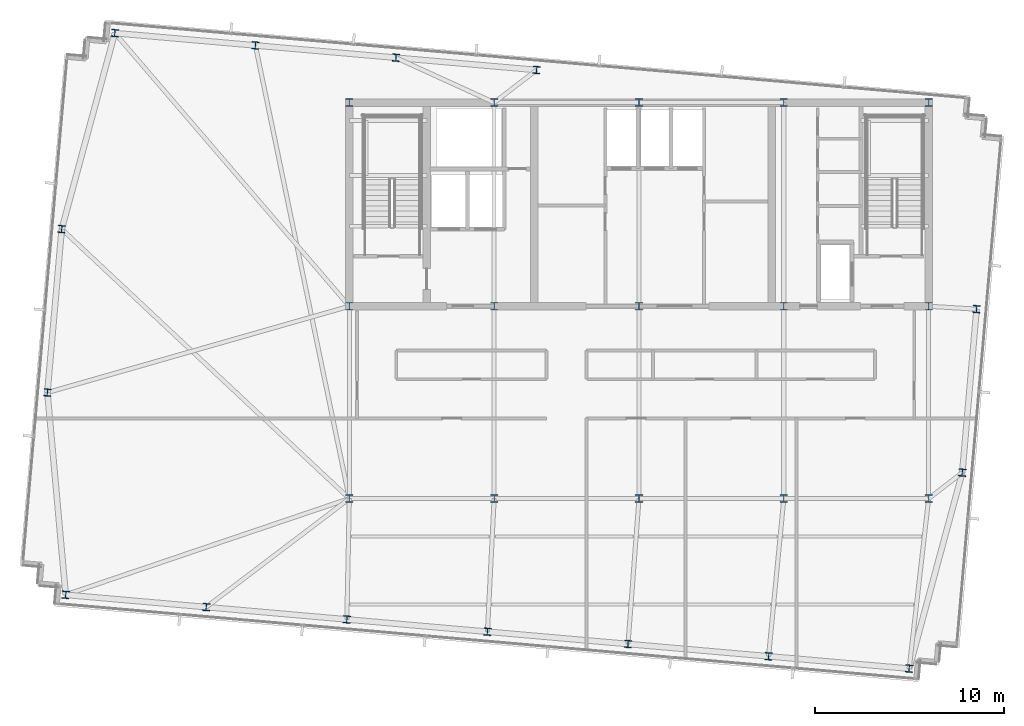
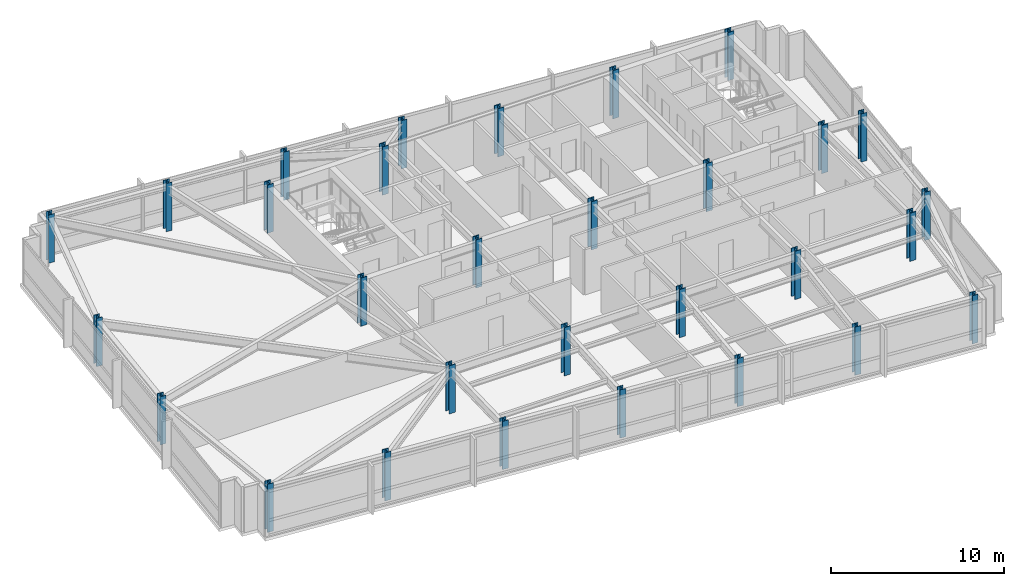
# One storey, part 1 of 24: 30 columns.
"""IFC4 building model written with IfcOpenShell, lengths in metres."""

import ifcopenshell
import ifcopenshell.guid

model = None  # the IFC model being written
_history = None  # IfcOwnerHistory: only IFC2X3 demands one
_inside = {}  # id of a spatial element -> (the spatial element, [elements in it])
_under = {}  # id of a project, library or spatial element -> (it, [spatial elements below it])
_declared = {}  # id of a project -> (the project, [libraries it declares])
_typed = {}  # id of a type object -> (the type object, [elements of that type])
_made_of = {}  # id of a material, layer set ... -> (it, [elements and type objects made of it])


def new_model(schema):
    """Start an empty IFC model of exactly this schema.

    Asked for "IFC4X3", IfcOpenShell would pick the latest addendum, in which some entities
    have other attributes; the version numbers below select the first issue.
    IFC2X3 requires an IfcOwnerHistory on every rooted entity: one is made here for all.
    """
    global model, _history
    if schema == "IFC4X3":
        model = ifcopenshell.file(schema_version=(4, 3, 0, 0))
    else:
        model = ifcopenshell.file(schema=schema)
    _inside.clear()
    _under.clear()
    _declared.clear()
    _typed.clear()
    _made_of.clear()
    _history = None
    if model.schema == "IFC2X3":
        org = make("IfcOrganization", Name="unknown")
        user = make(
            "IfcPersonAndOrganization",
            ThePerson=make("IfcPerson", FamilyName="unknown"),
            TheOrganization=org,
        )
        app = make(
            "IfcApplication",
            ApplicationDeveloper=org,
            Version="unknown",
            ApplicationFullName="unknown",
            ApplicationIdentifier="unknown",
        )
        _history = make(
            "IfcOwnerHistory",
            OwningUser=user,
            OwningApplication=app,
            ChangeAction="ADDED",
            CreationDate=0,
        )
    return model


def make(cls, **values):
    """One entity of the class cls with the attributes given. An attribute that is None is left unset."""
    return model.create_entity(
        cls, **{name: value for name, value in values.items() if value is not None}
    )


def rooted(cls, **values):
    """An entity with a GlobalId (a new one), such as an element, a storey or a relation."""
    return make(cls, GlobalId=ifcopenshell.guid.new(), OwnerHistory=_history, **values)


def si_unit(unit_type, name, prefix=None):
    """IfcSIUnit, for example si_unit("LENGTHUNIT", "METRE", prefix="MILLI")."""
    return make("IfcSIUnit", UnitType=unit_type, Prefix=prefix, Name=name)


def assignment(units):
    """IfcUnitAssignment: the units of a project."""
    return None if units is None else make("IfcUnitAssignment", Units=units)


def point(xyz):
    """IfcCartesianPoint."""
    return None if xyz is None else make("IfcCartesianPoint", Coordinates=xyz)


def direction(xyz):
    """IfcDirection."""
    return None if xyz is None else make("IfcDirection", DirectionRatios=xyz)


def frame(location, z_axis=None, x_axis=None):
    """IfcAxis2Placement3D, a coordinate frame: its origin and axes. An axis left out is left unset."""
    return make(
        "IfcAxis2Placement3D",
        Location=point(location),
        Axis=direction(z_axis),
        RefDirection=direction(x_axis),
    )


def frame_2d(location, x_axis=None):
    """IfcAxis2Placement2D, a coordinate frame in the plane: its origin and x axis."""
    return make(
        "IfcAxis2Placement2D", Location=point(location), RefDirection=direction(x_axis)
    )


def origin():
    """The frame at (0, 0, 0) with its axes left unset."""
    return frame((0.0, 0.0, 0.0))


def origin_2d():
    """The frame at (0, 0) in the plane with its x axis left unset."""
    return frame_2d((0.0, 0.0))


def place(relative_to, where):
    """IfcLocalPlacement: puts the frame where relative to a parent placement (None: the world)."""
    return make(
        "IfcLocalPlacement", PlacementRelTo=relative_to, RelativePlacement=where
    )


def context(
    kind, dimensions, precision=None, world=None, true_north=None, identifier=None
):
    """IfcGeometricRepresentationContext, for example the 3D "Model" context."""
    return make(
        "IfcGeometricRepresentationContext",
        ContextIdentifier=identifier,
        ContextType=kind,
        CoordinateSpaceDimension=dimensions,
        Precision=precision,
        WorldCoordinateSystem=world,
        TrueNorth=true_north,
    )


def subcontext(parent, identifier, kind, view, scale=None):
    """IfcGeometricRepresentationSubContext, for example "Body" below "Model"."""
    return make(
        "IfcGeometricRepresentationSubContext",
        ContextIdentifier=identifier,
        ContextType=kind,
        ParentContext=parent,
        TargetScale=scale,
        TargetView=view,
    )


def project(units=None, contexts=None):
    """IfcProject with its units and contexts."""
    return rooted(
        "IfcProject",
        Name="project",
        RepresentationContexts=contexts,
        UnitsInContext=assignment(units),
    )


def spatial(cls, under=None, at=None, **own):
    """A site, building, storey or space (cls), placed at a placement, below another one or the project."""
    s = rooted(cls, ObjectPlacement=at, **own)
    if under is not None:
        _under.setdefault(under.id(), (under, []))[1].append(s)
    return s


def profile(cls, at=None, kind="AREA", **sizes):
    """A parametric profile (cls). Its sizes go by their IFC names, for example OverallWidth=200.0."""
    return make(cls, ProfileType=kind, Position=at, **sizes)


def i_section(**sizes):
    """IfcIShapeProfileDef."""
    return profile("IfcIShapeProfileDef", **sizes)


def extrude(swept, where, along, depth):
    """IfcExtrudedAreaSolid: the profile swept, set in the frame where, extruded along a direction by depth."""
    return make(
        "IfcExtrudedAreaSolid",
        SweptArea=swept,
        Position=where,
        ExtrudedDirection=direction(along),
        Depth=depth,
    )


def shape(context_of_items, identifier, shape_type, items):
    """IfcShapeRepresentation: the items that make up one representation, for example the "Body"."""
    return make(
        "IfcShapeRepresentation",
        ContextOfItems=context_of_items,
        RepresentationIdentifier=identifier,
        RepresentationType=shape_type,
        Items=items,
    )


def material(Name=None, Category=None):
    """IfcMaterial."""
    return make("IfcMaterial", Name=Name, Category=Category)


def material_profile(
    of_material, cross_section, Name=None, Category=None, Priority=None
):
    """IfcMaterialProfile: a cross section and its material."""
    return make(
        "IfcMaterialProfile",
        Name=Name,
        Material=of_material,
        Profile=cross_section,
        Priority=Priority,
        Category=Category,
    )


def profile_set(profiles, Name=None, composite=None):
    """IfcMaterialProfileSet."""
    return make(
        "IfcMaterialProfileSet",
        Name=Name,
        MaterialProfiles=profiles,
        CompositeProfile=composite,
    )


def made_of(thing, what):
    """Note that an element or type object is made of a material, layer set ...; save() writes the relation."""
    if what is not None:
        _made_of.setdefault(what.id(), (what, []))[1].append(thing)
    return thing


def type_object(cls, material=None, **own):
    """A type object (cls), such as IfcWallType, which elements share."""
    return made_of(rooted(cls, **own), material)


def element(
    cls,
    number,
    at=None,
    inside=None,
    cuts=None,
    type_object=None,
    material=None,
    context=None,
    identifier="Body",
    shape_type=None,
    held_by="IfcProductDefinitionShape",
    body=None,
    shapes=None,
    **own,
):
    """One element of the class cls, such as IfcWall. Its Tag is "e" and its number.

    at: its placement. inside: the storey or other place that contains it. cuts: it is an
    opening in that element (IfcRelVoidsElement). A single representation is given by context,
    identifier, shape_type and body (its items); several are given by shapes. held_by: the class
    of the entity that holds the representations. save() writes the other relations.
    """
    e = rooted(cls, Tag="e%d" % number, ObjectPlacement=at, **own)
    if body is not None:
        shapes = [shape(context, identifier, shape_type, body)]
    if shapes is not None:
        e.Representation = make(held_by, Representations=shapes)
    if inside is not None:
        _inside.setdefault(inside.id(), (inside, []))[1].append(e)
    if cuts is not None:
        rooted(
            "IfcRelVoidsElement", RelatingBuildingElement=cuts, RelatedOpeningElement=e
        )
    if type_object is not None:
        _typed.setdefault(type_object.id(), (type_object, []))[1].append(e)
    return made_of(e, material)


def aggregate(whole, parts):
    """IfcRelAggregates: a whole, such as a stair, and the parts it consists of."""
    return rooted("IfcRelAggregates", RelatingObject=whole, RelatedObjects=parts)


def save(model, path):
    """Write the relations noted so far, then the file.

    IfcRelAggregates (storeys below a building ...), IfcRelContainedInSpatialStructure (elements
    in a storey), IfcRelDefinesByType, IfcRelAssociatesMaterial and IfcRelDeclares: one each for
    every whole, place, type object, material and project.
    """
    for whole, parts in _under.values():
        aggregate(whole, parts)
    for where, things in _inside.values():
        rooted(
            "IfcRelContainedInSpatialStructure",
            RelatedElements=things,
            RelatingStructure=where,
        )
    for kind, things in _typed.values():
        rooted("IfcRelDefinesByType", RelatedObjects=things, RelatingType=kind)
    for what, things in _made_of.values():
        rooted("IfcRelAssociatesMaterial", RelatedObjects=things, RelatingMaterial=what)
    for by, libraries in _declared.values():
        rooted("IfcRelDeclares", RelatingContext=by, RelatedDefinitions=libraries)
    model.write(path)


model = new_model("IFC4")

# Units and contexts
model_context = context("Model", 3, precision=1e-05, world=origin(), true_north=direction((0.0, 1.0)))
body_context = subcontext(model_context, "Body", "Model", "MODEL_VIEW")
ifc_project = project(units=[si_unit("LENGTHUNIT", "METRE"), si_unit("AREAUNIT", "SQUARE_METRE"), si_unit("VOLUMEUNIT", "CUBIC_METRE"), si_unit("PLANEANGLEUNIT", "RADIAN"), si_unit("MASSUNIT", "GRAM", prefix="KILO")], contexts=[model_context])

# Site, building, storey
site_placement = place(None, origin())
site = spatial("IfcSite", under=ifc_project, at=site_placement, CompositionType="ELEMENT")
building_placement = place(site_placement, origin())
building = spatial("IfcBuilding", under=site, at=building_placement, Name="Yelkora Congress Tower", CompositionType="ELEMENT")
storey_placement = place(building_placement, frame((0.0, 0.0, 296.5)))
storey = spatial("IfcBuildingStorey", under=building, at=storey_placement, Name="L83", CompositionType="ELEMENT", Elevation=296.5)

# Columns
ifc_material_1 = material(Name="Steel S355J2", Category="steel")
ifc_material_profile_1 = material_profile(ifc_material_1, i_section(OverallWidth=0.3779296875, OverallDepth=0.386962890625, WebThickness=0.0205078125, FlangeThickness=0.033203125, FilletRadius=0.014892578125, at=origin_2d()), Name="HD 360x262")
ifc_profile_set_1 = profile_set([ifc_material_profile_1], Name="Steel S355J2")
column_type_1 = type_object("IfcColumnType", Name="COL-HD-262-EXT", PredefinedType="COLUMN", material=ifc_profile_set_1)
for number, where, z_axis, x_axis, name in (
    (1, (7.998046875, 20.097900390625, 0.0), (0.0, 0.0, 1.0), (0.996194698092, -0.087155742748, 0.0), "L83 Perimeter Column S01"),
    (2, (15.452880859375, 19.445556640625, 0.0), (0.0, 0.0, 1.0), (0.996194698092, -0.087155742748, 0.0), "L83 Perimeter Column S02"),
    (3, (22.90771484375, 18.793212890625, 0.0), (0.0, 0.0, 1.0), (0.996194698092, -0.087155742748, 0.0), "L83 Perimeter Column S03"),
    (4, (30.362548828125, 18.14111328125, 0.0), (0.0, 0.0, 1.0), (0.996194698092, -0.087155742748, 0.0), "L83 Perimeter Column S04"),
    (5, (37.8173828125, 17.489013671875, 0.0), (0.0, 0.0, 1.0), (0.996194698092, -0.087155742748, 0.0), "L83 Perimeter Column S05"),
    (6, (45.2724609375, 16.836669921875, 0.0), (0.0, 0.0, 1.0), (0.996194698092, -0.087155742748, 0.0), "L83 Perimeter Column S06"),
    (7, (52.727294921875, 16.1845703125, 0.0), (0.0, 0.0, 1.0), (0.996194698092, -0.087155742748, 0.0), "L83 Perimeter Column S07"),
    (8, (10.60400390625, 49.884033203125, 0.0), (0.0, 0.0, 1.0), (0.996194698092, -0.087155742748, 0.0), "L83 Perimeter Column N01"),
    (9, (18.058837890625, 49.231689453125, 0.0), (0.0, 0.0, 1.0), (0.996194698092, -0.087155742748, 0.0), "L83 Perimeter Column N02"),
    (10, (25.513916015625, 48.57958984375, 0.0), (0.0, 0.0, 1.0), (0.996194698092, -0.087155742748, 0.0), "L83 Perimeter Column N03"),
    (11, (32.968505859375, 47.927490234375, 0.0), (0.0, 0.0, 1.0), (0.996194698092, -0.087155742748, 0.0), "L83 Perimeter Column N04"),
    (12, (7.029052734375, 30.822998046875, 0.0), (0.0, 0.0, 1.0), (0.996194698092, -0.087155742748, 0.0), "L83 Perimeter Column W01"),
    (13, (55.543701171875, 26.57861328125, 0.0), (0.0, 0.0, 1.0), (0.996194698092, -0.087155742748, 0.0), "L83 Perimeter Column E01"),
    (14, (7.787353515625, 39.489990234375, 0.0), (0.0, 0.0, 1.0), (0.996194698092, -0.087155742748, 0.0), "L83 Perimeter Column W02"),
    (15, (56.302001953125, 35.24560546875, 0.0), (0.0, 0.0, 1.0), (0.996194698092, -0.087155742748, 0.0), "L83 Perimeter Column E02"),
):
    element("IfcColumn", number, at=place(storey_placement, frame(where, z_axis=z_axis, x_axis=x_axis)), inside=storey, type_object=column_type_1, Name=name, PredefinedType="COLUMN", context=body_context, shape_type="SweptSolid", body=[
        extrude(i_section(OverallWidth=0.3779296875, OverallDepth=0.386962890625, WebThickness=0.0205078125, FlangeThickness=0.033203125, FilletRadius=0.014892578125, at=origin_2d()), origin(), (0.0, 0.0, 1.0), 3.39990234375),
    ])
ifc_material_2 = material(Name="Steel S460M", Category="steel")
ifc_material_profile_2 = material_profile(ifc_material_2, i_section(OverallWidth=0.406005859375, OverallDepth=0.416015625, WebThickness=0.02978515625, FlangeThickness=0.048095703125, FilletRadius=0.014892578125, at=origin_2d()), Name="HD 400x382")
ifc_profile_set_2 = profile_set([ifc_material_profile_2], Name="Steel S460M")
column_type_2 = type_object("IfcColumnType", Name="COL-HD-382", PredefinedType="COLUMN", material=ifc_profile_set_2)
for number, where, z_axis, x_axis, name in (
    (16, (23.0400390625, 35.39990234375, 0.0), (0.0, 0.0, 1.0), (1.0, 0.0, 0.0), "L83 Mega Column MC-S1"),
    (17, (23.0400390625, 46.199951171875, 0.0), (0.0, 0.0, 1.0), (1.0, 0.0, 0.0), "L83 Mega Column MC-N1"),
    (18, (23.0400390625, 25.199951171875, 0.0), (0.0, 0.0, 1.0), (1.0, 0.0, 0.0), "L83 Mega Column MC-D1"),
    (19, (30.719970703125, 35.39990234375, 0.0), (0.0, 0.0, 1.0), (1.0, 0.0, 0.0), "L83 Mega Column MC-S2"),
    (20, (30.719970703125, 46.199951171875, 0.0), (0.0, 0.0, 1.0), (1.0, 0.0, 0.0), "L83 Mega Column MC-N2"),
    (21, (30.719970703125, 25.199951171875, 0.0), (0.0, 0.0, 1.0), (1.0, 0.0, 0.0), "L83 Mega Column MC-D2"),
    (22, (38.39990234375, 35.39990234375, 0.0), (0.0, 0.0, 1.0), (1.0, 0.0, 0.0), "L83 Mega Column MC-S3"),
    (23, (38.39990234375, 46.199951171875, 0.0), (0.0, 0.0, 1.0), (1.0, 0.0, 0.0), "L83 Mega Column MC-N3"),
    (24, (38.39990234375, 25.199951171875, 0.0), (0.0, 0.0, 1.0), (1.0, 0.0, 0.0), "L83 Mega Column MC-D3"),
    (25, (46.080078125, 35.39990234375, 0.0), (0.0, 0.0, 1.0), (1.0, 0.0, 0.0), "L83 Mega Column MC-S4"),
    (26, (46.080078125, 46.199951171875, 0.0), (0.0, 0.0, 1.0), (1.0, 0.0, 0.0), "L83 Mega Column MC-N4"),
    (27, (46.080078125, 25.199951171875, 0.0), (0.0, 0.0, 1.0), (1.0, 0.0, 0.0), "L83 Mega Column MC-D4"),
    (28, (53.760009765625, 35.39990234375, 0.0), (0.0, 0.0, 1.0), (1.0, 0.0, 0.0), "L83 Mega Column MC-S5"),
    (29, (53.760009765625, 46.199951171875, 0.0), (0.0, 0.0, 1.0), (1.0, 0.0, 0.0), "L83 Mega Column MC-N5"),
    (30, (53.760009765625, 25.199951171875, 0.0), (0.0, 0.0, 1.0), (1.0, 0.0, 0.0), "L83 Mega Column MC-D5"),
):
    element("IfcColumn", number, at=place(storey_placement, frame(where, z_axis=z_axis, x_axis=x_axis)), inside=storey, type_object=column_type_2, Name=name, PredefinedType="COLUMN", context=body_context, shape_type="SweptSolid", body=[
        extrude(i_section(OverallWidth=0.406005859375, OverallDepth=0.416015625, WebThickness=0.02978515625, FlangeThickness=0.048095703125, FilletRadius=0.014892578125, at=origin_2d()), origin(), (0.0, 0.0, 1.0), 3.39990234375),
    ])

save(model, "model.ifc")
